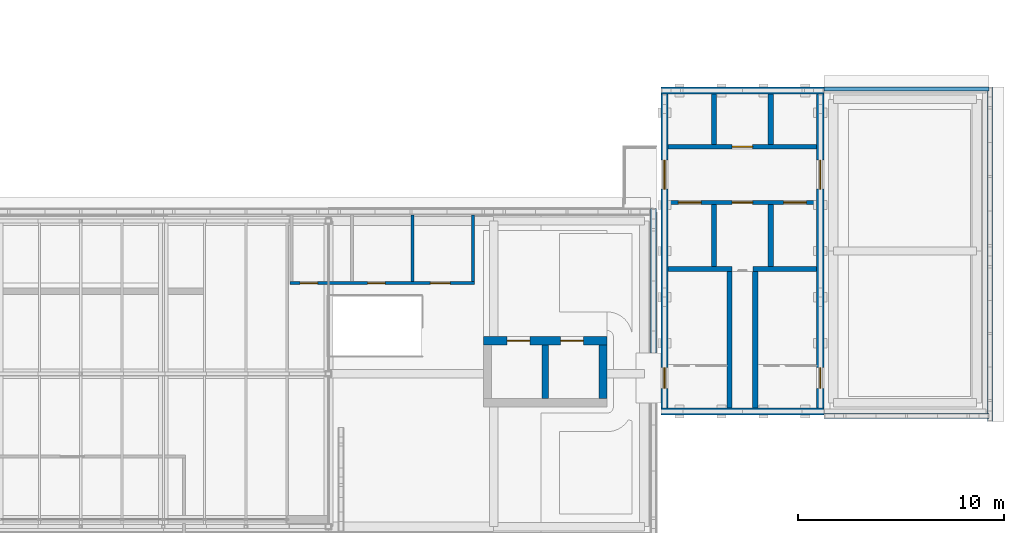
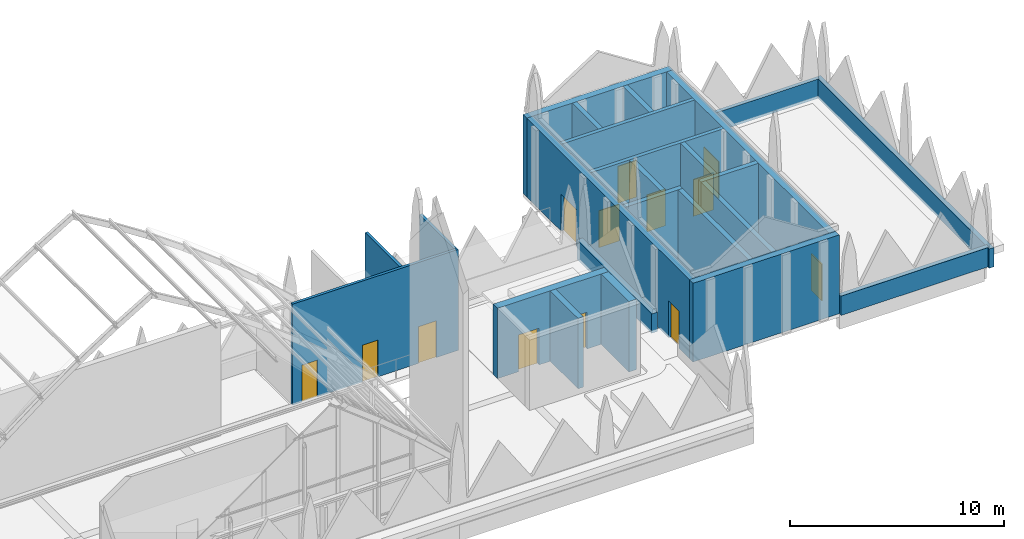
# One storey, part 13 of 18: 24 walls, 13 doors, 13 openings.
"""IFC4 building model written with IfcOpenShell, lengths in metres."""

from ifc_helpers import new_model, si_unit, direction, frame, frame_2d, origin, place, context, subcontext, project, spatial, rectangle, extrude, material, layer, layer_set, type_object, element, fill, save


model = new_model("IFC4")

# Units and contexts
model_context = context("Model", 3, precision=1e-05, world=origin(), true_north=direction((0.0, 1.0)))
body_context = subcontext(model_context, "Body", "Model", "MODEL_VIEW")
ifc_project = project(units=[si_unit("LENGTHUNIT", "METRE"), si_unit("AREAUNIT", "SQUARE_METRE"), si_unit("VOLUMEUNIT", "CUBIC_METRE"), si_unit("PLANEANGLEUNIT", "RADIAN"), si_unit("MASSUNIT", "GRAM", prefix="KILO")], contexts=[model_context])

# Site, building, storey
site_placement = place(None, origin())
site = spatial("IfcSite", under=ifc_project, at=site_placement, CompositionType="ELEMENT")
building_placement = place(site_placement, origin())
building = spatial("IfcBuilding", under=site, at=building_placement, Name="Lantern Court Media Centre", CompositionType="ELEMENT")
storey_placement = place(building_placement, frame((0.0, 0.0, 33.60009765625)))
storey = spatial("IfcBuildingStorey", under=building, at=storey_placement, Name="R00", CompositionType="ELEMENT", Elevation=33.60009765625)

# Wall, openings, doors
ifc_material_1 = material(Name="Concrete C40", Category="concrete")
ifc_layer_1 = layer(ifc_material_1, 0.199951171875)
ifc_layer_set_1 = layer_set([ifc_layer_1], Name="Concrete C40")
wall_type_1 = type_object("IfcWallType", Name="Fire lobby wall 200", PredefinedType="SOLIDWALL", material=ifc_layer_set_1)
wall_1_placement = place(storey_placement, frame((87.64990234375, 58.300048828125, 0.0), z_axis=(0.0, 0.0, 1.0), x_axis=(-1.0, 0.0, 0.0)))
wall_1 = element("IfcWall", 1, at=wall_1_placement, inside=storey, type_object=wall_type_1, Name="R00 SE FW1", PredefinedType="SOLIDWALL", context=body_context, shape_type="SweptSolid", body=[
    extrude(rectangle(XDim=7.199951171875, YDim=0.199951171875, at=frame_2d((3.60009765625, 0.0))), origin(), (0.0, 0.0, 1.0), 4.5),
])
opening_1_placement = place(wall_1_placement, frame((0.5, 0.0, 0.0)))
opening_1 = element("IfcOpeningElement", 2, at=opening_1_placement, cuts=wall_1, Name="Opening LD-SEFF-R00", PredefinedType="OPENING", context=body_context, shape_type="SweptSolid", body=[
    extrude(rectangle(XDim=1.10009765625, YDim=2.10009765625, at=frame_2d((0.550048828125, 1.050048828125))), frame((0.0, 0.10986328125, 0.0), z_axis=(0.0, -1.0, 0.0), x_axis=(1.0, 0.0, 0.0)), (0.0, 0.0, 1.0), 0.219970703125),
])
opening_2_placement = place(wall_1_placement, frame((5.60009765625, 0.0, 0.0)))
opening_2 = element("IfcOpeningElement", 3, at=opening_2_placement, cuts=wall_1, Name="Opening LD-SEP1-R00", PredefinedType="OPENING", context=body_context, shape_type="SweptSolid", body=[
    extrude(rectangle(XDim=1.10009765625, YDim=2.10009765625, at=frame_2d((0.550048828125, 1.050048828125))), frame((0.0, 0.10986328125, 0.0), z_axis=(0.0, -1.0, 0.0), x_axis=(1.0, 0.0, 0.0)), (0.0, 0.0, 1.0), 0.219970703125),
])
opening_3_placement = place(wall_1_placement, frame((3.10009765625, 0.0, 0.0)))
opening_3 = element("IfcOpeningElement", 4, at=opening_3_placement, cuts=wall_1, Name="Opening SE-R00-03", PredefinedType="OPENING", context=body_context, shape_type="SweptSolid", body=[
    extrude(rectangle(XDim=1.0, YDim=2.10009765625, at=frame_2d((0.5, 1.050048828125))), frame((0.0, 0.10986328125, 0.0), z_axis=(0.0, -1.0, 0.0), x_axis=(1.0, 0.0, 0.0)), (0.0, 0.0, 1.0), 0.219970703125),
])
ifc_material_2 = material(Name="Steel door leaf", Category="steel")
door_type_1 = type_object("IfcDoorType", Name="Lift landing door 1100x2100", OperationType="DOUBLE_DOOR_SLIDING", PredefinedType="DOOR", material=ifc_material_2)
door_1_placement = place(opening_1_placement, frame((1.10009765625, 0.0, 0.0), z_axis=(0.0, 0.0, 1.0), x_axis=(-1.0, 0.0, 0.0)))
door_1 = element("IfcDoor", 5, at=door_1_placement, inside=storey, type_object=door_type_1, Name="R00 SE lift FF landing door", OperationType="DOUBLE_DOOR_SLIDING", OverallHeight=2.10009765625, OverallWidth=1.10009765625, PredefinedType="DOOR", context=body_context, shape_type="SweptSolid", body=[
    extrude(rectangle(XDim=1.10009765625, YDim=2.10009765625, at=frame_2d((0.550048828125, 1.050048828125))), frame((0.0, 0.02490234375, 0.0), z_axis=(0.0, -1.0, 0.0), x_axis=(1.0, 0.0, 0.0)), (0.0, 0.0, 1.0), 0.050048828125),
])
fill(opening_1, door_1)
door_2_placement = place(opening_2_placement, frame((1.10009765625, 0.0, 0.0), z_axis=(0.0, 0.0, 1.0), x_axis=(-1.0, 0.0, 0.0)))
door_2 = element("IfcDoor", 6, at=door_2_placement, inside=storey, type_object=door_type_1, Name="R00 SE lift P1 landing door", OperationType="DOUBLE_DOOR_SLIDING", OverallHeight=2.10009765625, OverallWidth=1.10009765625, PredefinedType="DOOR", context=body_context, shape_type="SweptSolid", body=[
    extrude(rectangle(XDim=1.10009765625, YDim=2.10009765625, at=frame_2d((0.550048828125, 1.050048828125))), frame((0.0, 0.02490234375, 0.0), z_axis=(0.0, -1.0, 0.0), x_axis=(1.0, 0.0, 0.0)), (0.0, 0.0, 1.0), 0.050048828125),
])
fill(opening_2, door_2)
door_type_2 = type_object("IfcDoorType", Name="Service door 1000x2100", OperationType="NOTDEFINED", PredefinedType="DOOR", material=ifc_material_2)
door_3_placement = place(opening_3_placement, frame((1.0, 0.0, 0.0), z_axis=(0.0, 0.0, 1.0), x_axis=(-1.0, 0.0, 0.0)))
door_3 = element("IfcDoor", 7, at=door_3_placement, inside=storey, type_object=door_type_2, Name="R00 SE services riser door", OperationType="SINGLE_SWING_LEFT", OverallHeight=2.10009765625, OverallWidth=1.0, PredefinedType="DOOR", context=body_context, shape_type="SweptSolid", body=[
    extrude(rectangle(XDim=1.0, YDim=2.10009765625, at=frame_2d((0.5, 1.050048828125))), frame((0.0, 0.02490234375, 0.0), z_axis=(0.0, -1.0, 0.0), x_axis=(1.0, 0.0, 0.0)), (0.0, 0.0, 1.0), 0.050048828125),
])
fill(opening_3, door_3)

# Wall, opening, door
wall_2_placement = place(storey_placement, frame((87.64990234375, 61.0, 0.0), z_axis=(0.0, 0.0, 1.0), x_axis=(-1.0, 0.0, 0.0)))
wall_2 = element("IfcWall", 8, at=wall_2_placement, inside=storey, type_object=wall_type_1, Name="R00 SE FW2", PredefinedType="SOLIDWALL", context=body_context, shape_type="SweptSolid", body=[
    extrude(rectangle(XDim=7.199951171875, YDim=0.199951171875, at=frame_2d((3.60009765625, 0.0))), origin(), (0.0, 0.0, 1.0), 4.5),
])
opening_4_placement = place(wall_2_placement, frame((3.10009765625, 0.0, 0.0)))
opening_4 = element("IfcOpeningElement", 9, at=opening_4_placement, cuts=wall_2, Name="Opening SE-R00-04", PredefinedType="OPENING", context=body_context, shape_type="SweptSolid", body=[
    extrude(rectangle(XDim=1.0, YDim=2.10009765625, at=frame_2d((0.5, 1.050048828125))), frame((0.0, 0.10986328125, 0.0), z_axis=(0.0, -1.0, 0.0), x_axis=(1.0, 0.0, 0.0)), (0.0, 0.0, 1.0), 0.219970703125),
])
door_4_placement = place(opening_4_placement, origin())
door_4 = element("IfcDoor", 10, at=door_4_placement, inside=storey, type_object=door_type_2, Name="R00 SE accessible WC door", OperationType="SINGLE_SWING_RIGHT", OverallHeight=2.10009765625, OverallWidth=1.0, PredefinedType="DOOR", context=body_context, shape_type="SweptSolid", body=[
    extrude(rectangle(XDim=1.0, YDim=2.10009765625, at=frame_2d((0.5, 1.050048828125))), frame((0.0, 0.02490234375, 0.0), z_axis=(0.0, -1.0, 0.0), x_axis=(1.0, 0.0, 0.0)), (0.0, 0.0, 1.0), 0.050048828125),
])
fill(opening_4, door_4)

# Walls
ifc_material_3 = material(Name="Honed limestone cladding on blockwork", Category="masonry")
ifc_layer_2 = layer(ifc_material_3, 0.25)
ifc_layer_set_2 = layer_set([ifc_layer_2], Name="Honed limestone cladding on blockwork")
wall_type_2 = type_object("IfcWallType", Name="Limestone parapet wall 250", PredefinedType="PARAPET", material=ifc_layer_set_2)
wall_3_placement = place(storey_placement, frame((96.044921875, 47.699951171875, 0.0), z_axis=(0.0, 0.0, 1.0), x_axis=(0.0, 1.0, 0.0)))
element("IfcWall", 11, at=wall_3_placement, inside=storey, type_object=wall_type_2, Name="Limestone parapet SE E", PredefinedType="PARAPET", context=body_context, shape_type="SweptSolid", body=[
    extrude(rectangle(XDim=16.199951171875, YDim=0.25, at=frame_2d((8.10009765625, 0.0))), origin(), (0.0, 0.0, 1.0), 1.099853515625),
])
wall_4_placement = place(storey_placement, frame((88.0, 47.955078125, 0.0), z_axis=(0.0, 0.0, 1.0), x_axis=(1.0, 0.0, 0.0)))
element("IfcWall", 12, at=wall_4_placement, inside=storey, type_object=wall_type_2, Name="Limestone parapet SE S", PredefinedType="PARAPET", context=body_context, shape_type="SweptSolid", body=[
    extrude(rectangle(XDim=8.0, YDim=0.25, at=frame_2d((4.0, 0.0))), origin(), (0.0, 0.0, 1.0), 1.099853515625),
])
ifc_material_4 = material(Name="Concrete blockwork C20", Category="masonry")
ifc_layer_3 = layer(ifc_material_4, 0.14990234375)
ifc_layer_set_3 = layer_set([ifc_layer_3], Name="Concrete blockwork C20")
wall_type_3 = type_object("IfcWallType", Name="Partition 150 masonry", PredefinedType="PARTITIONING", material=ifc_layer_set_3)
wall_5_placement = place(storey_placement, frame((68.06689453125, 54.47509765625, 0.0), z_axis=(0.0, 0.0, 1.0), x_axis=(0.0, 1.0, 0.0)))
element("IfcWall", 13, at=wall_5_placement, inside=storey, type_object=wall_type_3, Name="R00 partition 001", PredefinedType="PARTITIONING", context=body_context, shape_type="SweptSolid", body=[
    extrude(rectangle(XDim=3.224853515625, YDim=0.14990234375, at=frame_2d((1.6123046875, 0.0))), origin(), (0.0, 0.0, 1.0), 5.760009765625),
])

# Wall, openings, doors
wall_6_placement = place(storey_placement, frame((62.125, 54.39990234375, 0.0), z_axis=(0.0, 0.0, 1.0), x_axis=(1.0, 0.0, 0.0)))
wall_6 = element("IfcWall", 14, at=wall_6_placement, inside=storey, type_object=wall_type_3, Name="R00 partition 003", PredefinedType="PARTITIONING", context=body_context, shape_type="SweptSolid", body=[
    extrude(rectangle(XDim=8.949951171875, YDim=0.14990234375, at=frame_2d((4.47509765625, 0.0))), origin(), (0.0, 0.0, 1.0), 5.760009765625),
])
opening_5_placement = place(wall_6_placement, frame((0.502685546875, 0.0, 0.0)))
opening_5 = element("IfcOpeningElement", 15, at=opening_5_placement, cuts=wall_6, Name="Opening R00-001", PredefinedType="OPENING", context=body_context, shape_type="SweptSolid", body=[
    extrude(rectangle(XDim=0.85009765625, YDim=2.10009765625, at=frame_2d((0.425048828125, 1.050048828125))), frame((0.0, 0.0849609375, 0.0), z_axis=(0.0, -1.0, 0.0), x_axis=(1.0, 0.0, 0.0)), (0.0, 0.0, 1.0), 0.169921875),
])
opening_6_placement = place(wall_6_placement, frame((3.76611328125, 0.0, 0.0)))
opening_6 = element("IfcOpeningElement", 16, at=opening_6_placement, cuts=wall_6, Name="Opening R00-002", PredefinedType="OPENING", context=body_context, shape_type="SweptSolid", body=[
    extrude(rectangle(XDim=0.85009765625, YDim=2.10009765625, at=frame_2d((0.425048828125, 1.050048828125))), frame((0.0, 0.0849609375, 0.0), z_axis=(0.0, -1.0, 0.0), x_axis=(1.0, 0.0, 0.0)), (0.0, 0.0, 1.0), 0.169921875),
])
opening_7_placement = place(wall_6_placement, frame((6.8134765625, 0.0, 0.0)))
opening_7 = element("IfcOpeningElement", 17, at=opening_7_placement, cuts=wall_6, Name="Opening R00-003", PredefinedType="OPENING", context=body_context, shape_type="SweptSolid", body=[
    extrude(rectangle(XDim=0.949951171875, YDim=2.10009765625, at=frame_2d((0.47509765625, 1.050048828125))), frame((0.0, 0.0849609375, 0.0), z_axis=(0.0, -1.0, 0.0), x_axis=(1.0, 0.0, 0.0)), (0.0, 0.0, 1.0), 0.169921875),
])
ifc_material_5 = material(Name="Solid-core timber door leaf", Category="wood")
door_type_3 = type_object("IfcDoorType", Name="Accessible WC door 950x2100", OperationType="NOTDEFINED", PredefinedType="DOOR", material=ifc_material_5)
door_5_placement = place(opening_7_placement, origin())
door_5 = element("IfcDoor", 18, at=door_5_placement, inside=storey, type_object=door_type_3, Name="R00 Accessible WC door", OperationType="SINGLE_SWING_RIGHT", OverallHeight=2.10009765625, OverallWidth=0.949951171875, PredefinedType="DOOR", context=body_context, shape_type="SweptSolid", body=[
    extrude(rectangle(XDim=0.949951171875, YDim=2.10009765625, at=frame_2d((0.47509765625, 1.050048828125))), frame((0.0, 0.02490234375, 0.0), z_axis=(0.0, -1.0, 0.0), x_axis=(1.0, 0.0, 0.0)), (0.0, 0.0, 1.0), 0.050048828125),
])
fill(opening_7, door_5)
door_type_4 = type_object("IfcDoorType", Name="WC door 850x2100", OperationType="NOTDEFINED", PredefinedType="DOOR", material=ifc_material_5)
door_6_placement = place(opening_5_placement, origin())
door_6 = element("IfcDoor", 19, at=door_6_placement, inside=storey, type_object=door_type_4, Name="R00 WC Male door", OperationType="SINGLE_SWING_RIGHT", OverallHeight=2.10009765625, OverallWidth=0.85009765625, PredefinedType="DOOR", context=body_context, shape_type="SweptSolid", body=[
    extrude(rectangle(XDim=0.85009765625, YDim=2.10009765625, at=frame_2d((0.425048828125, 1.050048828125))), frame((0.0, 0.02490234375, 0.0), z_axis=(0.0, -1.0, 0.0), x_axis=(1.0, 0.0, 0.0)), (0.0, 0.0, 1.0), 0.050048828125),
])
fill(opening_5, door_6)
door_7_placement = place(opening_6_placement, origin())
door_7 = element("IfcDoor", 20, at=door_7_placement, inside=storey, type_object=door_type_4, Name="R00 WC Female door", OperationType="SINGLE_SWING_LEFT", OverallHeight=2.10009765625, OverallWidth=0.85009765625, PredefinedType="DOOR", context=body_context, shape_type="SweptSolid", body=[
    extrude(rectangle(XDim=0.85009765625, YDim=2.10009765625, at=frame_2d((0.425048828125, 1.050048828125))), frame((0.0, 0.02490234375, 0.0), z_axis=(0.0, -1.0, 0.0), x_axis=(1.0, 0.0, 0.0)), (0.0, 0.0, 1.0), 0.050048828125),
])
fill(opening_6, door_7)

# Walls
wall_7_placement = place(storey_placement, frame((71.0, 54.47509765625, 0.0), z_axis=(0.0, 0.0, 1.0), x_axis=(0.0, 1.0, 0.0)))
element("IfcWall", 21, at=wall_7_placement, inside=storey, type_object=wall_type_3, Name="R00 partition 004", PredefinedType="PARTITIONING", context=body_context, shape_type="SweptSolid", body=[
    extrude(rectangle(XDim=3.224853515625, YDim=0.14990234375, at=frame_2d((1.6123046875, 0.0))), origin(), (0.0, 0.0, 1.0), 5.760009765625),
])
ifc_layer_4 = layer(ifc_material_1, 0.300048828125)
ifc_layer_set_4 = layer_set([ifc_layer_4], Name="Concrete C40")
wall_type_4 = type_object("IfcWallType", Name="RC SHEAR WALL 300", PredefinedType="SHEAR", material=ifc_layer_set_4)
wall_8_placement = place(storey_placement, frame((74.5, 48.800048828125, 0.0), z_axis=(0.0, 0.0, 1.0), x_axis=(0.0, 1.0, 0.0)))
element("IfcWall", 22, at=wall_8_placement, inside=storey, type_object=wall_type_4, Name="WB-S-LC2-R00-D", PredefinedType="SHEAR", context=body_context, shape_type="SweptSolid", body=[
    extrude(rectangle(XDim=2.599853515625, YDim=0.300048828125, at=frame_2d((1.2998046875, 0.0))), origin(), (0.0, 0.0, 1.0), 4.02001953125),
])

# Wall, openings, doors
ifc_layer_5 = layer(ifc_material_1, 0.39990234375)
ifc_layer_set_5 = layer_set([ifc_layer_5], Name="Concrete C40")
wall_type_5 = type_object("IfcWallType", Name="RC SHEAR WALL 400", PredefinedType="SHEAR", material=ifc_layer_set_5)
wall_9_placement = place(storey_placement, frame((71.5, 51.60009765625, 0.0), z_axis=(0.0, 0.0, 1.0), x_axis=(1.0, 0.0, 0.0)))
wall_9 = element("IfcWall", 23, at=wall_9_placement, inside=storey, type_object=wall_type_5, Name="WB-S-LC2-R00-N", PredefinedType="SHEAR", context=body_context, shape_type="SweptSolid", body=[
    extrude(rectangle(XDim=6.0, YDim=0.39990234375, at=frame_2d((3.0, 0.0))), origin(), (0.0, 0.0, 1.0), 4.02001953125),
])
opening_8_placement = place(wall_9_placement, frame((1.14990234375, 0.0, 0.0)))
opening_8 = element("IfcOpeningElement", 24, at=opening_8_placement, cuts=wall_9, Name="Opening LD-S-LC2P-R00", PredefinedType="OPENING", context=body_context, shape_type="SweptSolid", body=[
    extrude(rectangle(XDim=1.10009765625, YDim=2.10009765625, at=frame_2d((0.550048828125, 1.050048828125))), frame((0.0, 0.2099609375, 0.0), z_axis=(0.0, -1.0, 0.0), x_axis=(1.0, 0.0, 0.0)), (0.0, 0.0, 1.0), 0.419921875),
])
opening_9_placement = place(wall_9_placement, frame((3.75, 0.0, 0.0)))
opening_9 = element("IfcOpeningElement", 25, at=opening_9_placement, cuts=wall_9, Name="Opening LD-S-LC2S-R00", PredefinedType="OPENING", context=body_context, shape_type="SweptSolid", body=[
    extrude(rectangle(XDim=1.10009765625, YDim=2.10009765625, at=frame_2d((0.550048828125, 1.050048828125))), frame((0.0, 0.2099609375, 0.0), z_axis=(0.0, -1.0, 0.0), x_axis=(1.0, 0.0, 0.0)), (0.0, 0.0, 1.0), 0.419921875),
])
door_8_placement = place(opening_8_placement, origin())
door_8 = element("IfcDoor", 26, at=door_8_placement, inside=storey, type_object=door_type_1, Name="R00 S-LC2 passenger lift landing door", OperationType="DOUBLE_DOOR_SLIDING", OverallHeight=2.10009765625, OverallWidth=1.10009765625, PredefinedType="DOOR", context=body_context, shape_type="SweptSolid", body=[
    extrude(rectangle(XDim=1.10009765625, YDim=2.10009765625, at=frame_2d((0.550048828125, 1.050048828125))), frame((0.0, 0.02490234375, 0.0), z_axis=(0.0, -1.0, 0.0), x_axis=(1.0, 0.0, 0.0)), (0.0, 0.0, 1.0), 0.050048828125),
])
fill(opening_8, door_8)
door_9_placement = place(opening_9_placement, origin())
door_9 = element("IfcDoor", 27, at=door_9_placement, inside=storey, type_object=door_type_1, Name="R00 S-LC2 service lift landing door", OperationType="DOUBLE_DOOR_SLIDING", OverallHeight=2.10009765625, OverallWidth=1.10009765625, PredefinedType="DOOR", context=body_context, shape_type="SweptSolid", body=[
    extrude(rectangle(XDim=1.10009765625, YDim=2.10009765625, at=frame_2d((0.550048828125, 1.050048828125))), frame((0.0, 0.02490234375, 0.0), z_axis=(0.0, -1.0, 0.0), x_axis=(1.0, 0.0, 0.0)), (0.0, 0.0, 1.0), 0.050048828125),
])
fill(opening_9, door_9)

# Walls
wall_10_placement = place(storey_placement, frame((77.300048828125, 48.800048828125, 0.0), z_axis=(0.0, 0.0, 1.0), x_axis=(0.0, 1.0, 0.0)))
element("IfcWall", 28, at=wall_10_placement, inside=storey, type_object=wall_type_5, Name="WB-S-LC2-R00-E", PredefinedType="SHEAR", context=body_context, shape_type="SweptSolid", body=[
    extrude(rectangle(XDim=2.599853515625, YDim=0.39990234375, at=frame_2d((1.2998046875, 0.0))), origin(), (0.0, 0.0, 1.0), 4.02001953125),
])
ifc_layer_6 = layer(ifc_material_1, 0.35009765625)
ifc_layer_set_6 = layer_set([ifc_layer_6], Name="Concrete C40")
wall_type_6 = type_object("IfcWallType", Name="RC head-house wall 350", PredefinedType="SOLIDWALL", material=ifc_layer_set_6)
wall_11_placement = place(storey_placement, frame((88.0, 48.175048828125, 0.0), z_axis=(0.0, 0.0, 1.0), x_axis=(-1.0, 0.0, 0.0)))
element("IfcWall", 29, at=wall_11_placement, inside=storey, type_object=wall_type_6, Name="R00 SE head-house wall S", PredefinedType="SOLIDWALL", context=body_context, shape_type="SweptSolid", body=[
    extrude(rectangle(XDim=7.89990234375, YDim=0.35009765625, at=frame_2d((3.949951171875, 0.0))), origin(), (0.0, 0.0, 1.0), 4.5),
])

# Wall, openings, doors
wall_12_placement = place(storey_placement, frame((87.824951171875, 48.35009765625, 0.0), z_axis=(0.0, 0.0, 1.0), x_axis=(0.0, 1.0, 0.0)))
wall_12 = element("IfcWall", 30, at=wall_12_placement, inside=storey, type_object=wall_type_6, Name="R00 SE head-house wall W", PredefinedType="SOLIDWALL", context=body_context, shape_type="SweptSolid", body=[
    extrude(rectangle(XDim=15.199951171875, YDim=0.35009765625, at=frame_2d((7.60009765625, 0.0))), origin(), (0.0, 0.0, 1.0), 4.5),
])
opening_10_placement = place(wall_12_placement, frame((0.949951171875, 0.0, 0.0)))
opening_10 = element("IfcOpeningElement", 31, at=opening_10_placement, cuts=wall_12, Name="Opening SE-R00-02", PredefinedType="OPENING", context=body_context, shape_type="SweptSolid", body=[
    extrude(rectangle(XDim=1.0, YDim=2.10009765625, at=frame_2d((0.5, 1.050048828125))), frame((0.0, 0.18505859375, 0.0), z_axis=(0.0, -1.0, 0.0), x_axis=(1.0, 0.0, 0.0)), (0.0, 0.0, 1.0), 0.3701171875),
])
opening_11_placement = place(wall_12_placement, frame((10.60009765625, 0.0, 0.0)))
opening_11 = element("IfcOpeningElement", 32, at=opening_11_placement, cuts=wall_12, Name="Opening SE-R00-06", PredefinedType="OPENING", context=body_context, shape_type="SweptSolid", body=[
    extrude(rectangle(XDim=1.39990234375, YDim=2.10009765625, at=frame_2d((0.699951171875, 1.050048828125))), frame((0.0, 0.18505859375, 0.0), z_axis=(0.0, -1.0, 0.0), x_axis=(1.0, 0.0, 0.0)), (0.0, 0.0, 1.0), 0.3701171875),
])
door_type_5 = type_object("IfcDoorType", Name="Lift lobby double door 1400x2100", OperationType="NOTDEFINED", PredefinedType="DOOR", material=ifc_material_2)
door_10_placement = place(opening_11_placement, origin())
door_10 = element("IfcDoor", 33, at=door_10_placement, inside=storey, type_object=door_type_5, Name="R00 SE lift lobby east door", OperationType="SINGLE_SWING_LEFT", OverallHeight=2.10009765625, OverallWidth=1.39990234375, PredefinedType="DOOR", context=body_context, shape_type="SweptSolid", body=[
    extrude(rectangle(XDim=1.39990234375, YDim=2.10009765625, at=frame_2d((0.699951171875, 1.050048828125))), frame((0.0, 0.02490234375, 0.0), z_axis=(0.0, -1.0, 0.0), x_axis=(1.0, 0.0, 0.0)), (0.0, 0.0, 1.0), 0.050048828125),
])
fill(opening_11, door_10)
door_type_6 = type_object("IfcDoorType", Name="Stair door 1000x2100", OperationType="NOTDEFINED", PredefinedType="DOOR", material=ifc_material_2)
door_11_placement = place(opening_10_placement, origin())
door_11 = element("IfcDoor", 34, at=door_11_placement, inside=storey, type_object=door_type_6, Name="R00 SE stair B door", OperationType="SINGLE_SWING_LEFT", OverallHeight=2.10009765625, OverallWidth=1.0, PredefinedType="DOOR", context=body_context, shape_type="SweptSolid", body=[
    extrude(rectangle(XDim=1.0, YDim=2.10009765625, at=frame_2d((0.5, 1.050048828125))), frame((0.0, 0.02490234375, 0.0), z_axis=(0.0, -1.0, 0.0), x_axis=(1.0, 0.0, 0.0)), (0.0, 0.0, 1.0), 0.050048828125),
])
fill(opening_10, door_11)

wall_13_placement = place(storey_placement, frame((80.27490234375, 48.35009765625, 0.0), z_axis=(0.0, 0.0, 1.0), x_axis=(0.0, 1.0, 0.0)))
wall_13 = element("IfcWall", 35, at=wall_13_placement, inside=storey, type_object=wall_type_6, Name="R00 SE head-house wall E", PredefinedType="SOLIDWALL", context=body_context, shape_type="SweptSolid", body=[
    extrude(rectangle(XDim=15.199951171875, YDim=0.35009765625, at=frame_2d((7.60009765625, 0.0))), origin(), (0.0, 0.0, 1.0), 4.5),
])
opening_12_placement = place(wall_13_placement, frame((0.949951171875, 0.0, 0.0)))
opening_12 = element("IfcOpeningElement", 36, at=opening_12_placement, cuts=wall_13, Name="Opening SE-R00-01", PredefinedType="OPENING", context=body_context, shape_type="SweptSolid", body=[
    extrude(rectangle(XDim=1.0, YDim=2.10009765625, at=frame_2d((0.5, 1.050048828125))), frame((0.0, 0.18505859375, 0.0), z_axis=(0.0, -1.0, 0.0), x_axis=(1.0, 0.0, 0.0)), (0.0, 0.0, 1.0), 0.3701171875),
])
opening_13_placement = place(wall_13_placement, frame((10.60009765625, 0.0, 0.0)))
opening_13 = element("IfcOpeningElement", 37, at=opening_13_placement, cuts=wall_13, Name="Opening SE-R00-05", PredefinedType="OPENING", context=body_context, shape_type="SweptSolid", body=[
    extrude(rectangle(XDim=1.39990234375, YDim=2.10009765625, at=frame_2d((0.699951171875, 1.050048828125))), frame((0.0, 0.18505859375, 0.0), z_axis=(0.0, -1.0, 0.0), x_axis=(1.0, 0.0, 0.0)), (0.0, 0.0, 1.0), 0.3701171875),
])
door_12_placement = place(opening_13_placement, frame((1.39990234375, 0.0, 0.0), z_axis=(0.0, 0.0, 1.0), x_axis=(-1.0, 0.0, 0.0)))
door_12 = element("IfcDoor", 38, at=door_12_placement, inside=storey, type_object=door_type_5, Name="R00 SE lift lobby west door", OperationType="SINGLE_SWING_LEFT", OverallHeight=2.10009765625, OverallWidth=1.39990234375, PredefinedType="DOOR", context=body_context, shape_type="SweptSolid", body=[
    extrude(rectangle(XDim=1.39990234375, YDim=2.10009765625, at=frame_2d((0.699951171875, 1.050048828125))), frame((0.0, 0.02490234375, 0.0), z_axis=(0.0, -1.0, 0.0), x_axis=(1.0, 0.0, 0.0)), (0.0, 0.0, 1.0), 0.050048828125),
])
fill(opening_13, door_12)
door_13_placement = place(opening_12_placement, frame((1.0, 0.0, 0.0), z_axis=(0.0, 0.0, 1.0), x_axis=(-1.0, 0.0, 0.0)))
door_13 = element("IfcDoor", 39, at=door_13_placement, inside=storey, type_object=door_type_6, Name="R00 SE stair A door", OperationType="SINGLE_SWING_LEFT", OverallHeight=2.10009765625, OverallWidth=1.0, PredefinedType="DOOR", context=body_context, shape_type="SweptSolid", body=[
    extrude(rectangle(XDim=1.0, YDim=2.10009765625, at=frame_2d((0.5, 1.050048828125))), frame((0.0, 0.02490234375, 0.0), z_axis=(0.0, -1.0, 0.0), x_axis=(1.0, 0.0, 0.0)), (0.0, 0.0, 1.0), 0.050048828125),
])
fill(opening_12, door_13)

# Walls
wall_14_placement = place(storey_placement, frame((88.0, 63.72509765625, 0.0), z_axis=(0.0, 0.0, 1.0), x_axis=(-1.0, 0.0, 0.0)))
element("IfcWall", 40, at=wall_14_placement, inside=storey, type_object=wall_type_6, Name="R00 SE head-house wall N", PredefinedType="SOLIDWALL", context=body_context, shape_type="SweptSolid", body=[
    extrude(rectangle(XDim=7.89990234375, YDim=0.35009765625, at=frame_2d((3.949951171875, 0.0))), origin(), (0.0, 0.0, 1.0), 4.5),
])
ifc_layer_7 = layer(ifc_material_1, 0.25)
ifc_layer_set_7 = layer_set([ifc_layer_7], Name="Concrete C40")
wall_type_7 = type_object("IfcWallType", Name="RC lift shaft wall 250", PredefinedType="SOLIDWALL", material=ifc_layer_set_7)
wall_15_placement = place(storey_placement, frame((85.425048828125, 55.199951171875, 0.0), z_axis=(0.0, 0.0, 1.0), x_axis=(0.0, 1.0, 0.0)))
element("IfcWall", 41, at=wall_15_placement, inside=storey, type_object=wall_type_7, Name="R00 SE L1a", PredefinedType="SOLIDWALL", context=body_context, shape_type="SweptSolid", body=[
    extrude(rectangle(XDim=3.0, YDim=0.25, at=frame_2d((1.5, 0.0))), origin(), (0.0, 0.0, 1.0), 4.5),
])
wall_16_placement = place(storey_placement, frame((85.425048828125, 61.10009765625, 0.0), z_axis=(0.0, 0.0, 1.0), x_axis=(0.0, 1.0, 0.0)))
element("IfcWall", 42, at=wall_16_placement, inside=storey, type_object=wall_type_7, Name="R00 SE L1b", PredefinedType="SOLIDWALL", context=body_context, shape_type="SweptSolid", body=[
    extrude(rectangle(XDim=2.449951171875, YDim=0.25, at=frame_2d((1.22509765625, 0.0))), origin(), (0.0, 0.0, 1.0), 4.5),
])
wall_17_placement = place(storey_placement, frame((82.675048828125, 55.199951171875, 0.0), z_axis=(0.0, 0.0, 1.0), x_axis=(0.0, 1.0, 0.0)))
element("IfcWall", 43, at=wall_17_placement, inside=storey, type_object=wall_type_7, Name="R00 SE L2a", PredefinedType="SOLIDWALL", context=body_context, shape_type="SweptSolid", body=[
    extrude(rectangle(XDim=3.0, YDim=0.25, at=frame_2d((1.5, 0.0))), origin(), (0.0, 0.0, 1.0), 4.5),
])
wall_18_placement = place(storey_placement, frame((82.675048828125, 61.10009765625, 0.0), z_axis=(0.0, 0.0, 1.0), x_axis=(0.0, 1.0, 0.0)))
element("IfcWall", 44, at=wall_18_placement, inside=storey, type_object=wall_type_7, Name="R00 SE L2b", PredefinedType="SOLIDWALL", context=body_context, shape_type="SweptSolid", body=[
    extrude(rectangle(XDim=2.449951171875, YDim=0.25, at=frame_2d((1.22509765625, 0.0))), origin(), (0.0, 0.0, 1.0), 4.5),
])
ifc_layer_8 = layer(ifc_material_1, 0.25)
ifc_layer_set_8 = layer_set([ifc_layer_8], Name="Concrete C40")
wall_type_8 = type_object("IfcWallType", Name="RC stair shaft wall 250", PredefinedType="SOLIDWALL", material=ifc_layer_set_8)
for number, where, z_axis, x_axis, name in (
    (45, (84.675048828125, 48.35009765625, 0.0), (0.0, 0.0, 1.0), (0.0, 1.0, 0.0), "R00 SE SA"),
    (46, (83.425048828125, 48.35009765625, 0.0), (0.0, 0.0, 1.0), (0.0, 1.0, 0.0), "R00 SE SB"),
):
    element("IfcWall", number, at=place(storey_placement, frame(where, z_axis=z_axis, x_axis=x_axis)), inside=storey, type_object=wall_type_8, Name=name, PredefinedType="SOLIDWALL", context=body_context, shape_type="SweptSolid", body=[
        extrude(rectangle(XDim=6.599853515625, YDim=0.25, at=frame_2d((3.2998046875, 0.0))), origin(), (0.0, 0.0, 1.0), 4.5),
    ])
wall_19_placement = place(storey_placement, frame((87.64990234375, 55.074951171875, 0.0), z_axis=(0.0, 0.0, 1.0), x_axis=(-1.0, 0.0, 0.0)))
element("IfcWall", 47, at=wall_19_placement, inside=storey, type_object=wall_type_8, Name="R00 SE SN1", PredefinedType="SOLIDWALL", context=body_context, shape_type="SweptSolid", body=[
    extrude(rectangle(XDim=3.099853515625, YDim=0.25, at=frame_2d((1.5498046875, 0.0))), origin(), (0.0, 0.0, 1.0), 4.5),
])
wall_20_placement = place(storey_placement, frame((83.550048828125, 55.074951171875, 0.0), z_axis=(0.0, 0.0, 1.0), x_axis=(-1.0, 0.0, 0.0)))
element("IfcWall", 48, at=wall_20_placement, inside=storey, type_object=wall_type_8, Name="R00 SE SN2", PredefinedType="SOLIDWALL", context=body_context, shape_type="SweptSolid", body=[
    extrude(rectangle(XDim=3.10009765625, YDim=0.25, at=frame_2d((1.550048828125, 0.0))), origin(), (0.0, 0.0, 1.0), 4.5),
])
ifc_layer_9 = layer(ifc_material_3, 0.199951171875)
ifc_layer_set_9 = layer_set([ifc_layer_9], Name="Honed limestone cladding on blockwork")
wall_type_9 = type_object("IfcWallType", Name="Roof parapet 200", PredefinedType="PARAPET", material=ifc_layer_set_9)
wall_21_placement = place(storey_placement, frame((88.0, 63.800048828125, 0.0), z_axis=(0.0, 0.0, 1.0), x_axis=(1.0, 0.0, 0.0)))
element("IfcWall", 49, at=wall_21_placement, inside=storey, type_object=wall_type_9, Name="Roof parapet PP-SE", PredefinedType="PARAPET", context=body_context, shape_type="SweptSolid", body=[
    extrude(rectangle(XDim=8.0, YDim=0.199951171875, at=frame_2d((4.0, 0.0))), origin(), (0.0, 0.0, 1.0), 1.099853515625),
])
ifc_material_6 = material(Name="Insulated rendered blockwork", Category="masonry")
ifc_layer_10 = layer(ifc_material_6, 0.300048828125)
ifc_layer_set_10 = layer_set([ifc_layer_10], Name="Insulated rendered blockwork")
wall_type_10 = type_object("IfcWallType", Name="Roof parapet 300", PredefinedType="PARAPET", material=ifc_layer_set_10)
wall_22_placement = place(storey_placement, frame((79.75, 51.0, 0.0), z_axis=(0.0, 0.0, 1.0), x_axis=(0.0, 1.0, 0.0)))
element("IfcWall", 50, at=wall_22_placement, inside=storey, type_object=wall_type_10, Name="Roof parapet PP-S", PredefinedType="PARAPET", context=body_context, shape_type="SweptSolid", body=[
    extrude(rectangle(XDim=7.0, YDim=0.300048828125, at=frame_2d((3.5, 0.0))), origin(), (0.0, 0.0, 1.0), 1.099853515625),
])

save(model, "model.ifc")
